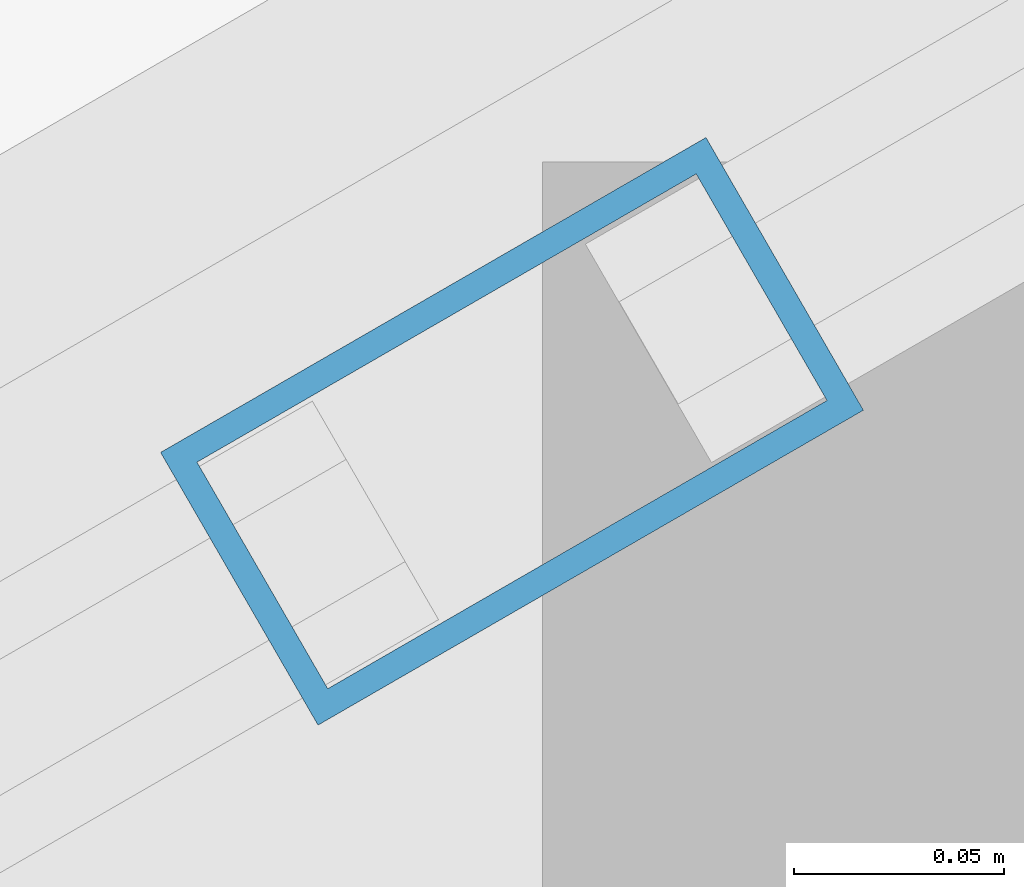
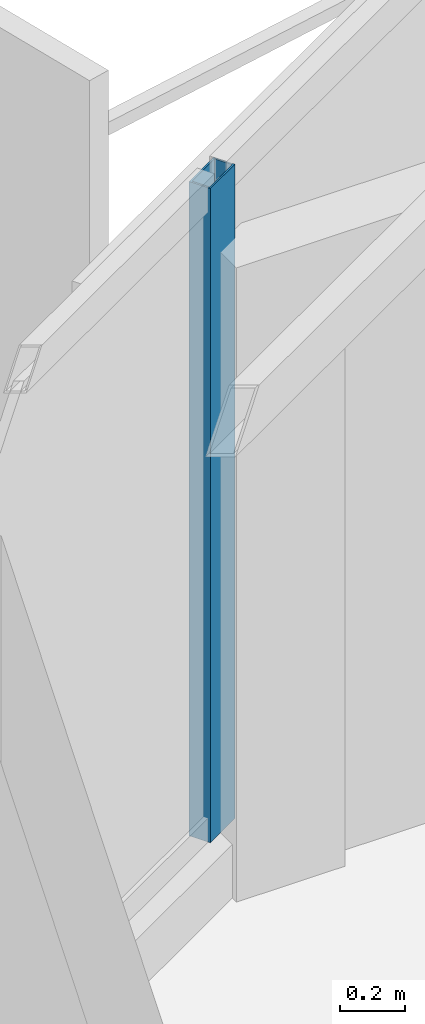
# One storey, part 10 of 21: 1 member, 1 element without a shape of its own.
"""IFC4 building model written with IfcOpenShell, lengths in metres."""

from ifc_helpers import new_model, si_unit, direction, frame, origin, origin_2d, place, context, subcontext, project, spatial, hollow_rectangle, extrude, material, layer, layer_set, material_profile, profile_set, type_object, element, aggregate, save


model = new_model("IFC4")

# Units and contexts
model_context = context("Model", 3, precision=1e-05, world=origin(), true_north=direction((0.0, 1.0)))
body_context = subcontext(model_context, "Body", "Model", "MODEL_VIEW")
ifc_project = project(units=[si_unit("LENGTHUNIT", "METRE"), si_unit("AREAUNIT", "SQUARE_METRE"), si_unit("VOLUMEUNIT", "CUBIC_METRE"), si_unit("PLANEANGLEUNIT", "RADIAN"), si_unit("MASSUNIT", "GRAM", prefix="KILO")], contexts=[model_context])

# Site, building, storey
site_placement = place(None, origin())
site = spatial("IfcSite", under=ifc_project, at=site_placement, CompositionType="ELEMENT")
building_placement = place(site_placement, origin())
building = spatial("IfcBuilding", under=site, at=building_placement, Name="Mersakhor Tower and Convention Hall", CompositionType="ELEMENT")
storey_placement = place(building_placement, frame((0.0, 0.0, 215.10009765625)))
storey = spatial("IfcBuildingStorey", under=building, at=storey_placement, Name="L60", CompositionType="ELEMENT", Elevation=215.10009765625)

# Curtain wall, member
ifc_material_1 = material(Name="Dark solar low-E aluminium curtain wall", Category="aluminium")
ifc_layer = layer(ifc_material_1, 0.169921875)
ifc_layer_set = layer_set([ifc_layer], Name="Dark solar low-E aluminium curtain wall")
curtain_wall_type = type_object("IfcCurtainWallType", Name="CW-SYS-02", PredefinedType="USERDEFINED", material=ifc_layer_set)
curtain_wall_placement = place(storey_placement, origin())
curtain_wall = element("IfcCurtainWall", 1, at=curtain_wall_placement, inside=storey, type_object=curtain_wall_type, Name="L60 Dark-Glass Curtain Wall F1-B2", ObjectType="CURTAIN WALL", PredefinedType="USERDEFINED")
ifc_material_2 = material(Name="Anodised aluminium EN AW-6063 T6", Category="aluminium")
ifc_material_profile = material_profile(ifc_material_2, hollow_rectangle(XDim=0.074951171875, YDim=0.14990234375, WallThickness=0.00634765625, at=origin_2d()), Name="RHS 150x75x6.3")
ifc_profile_set = profile_set([ifc_material_profile], Name="Anodised aluminium EN AW-6063 T6")
member_type = type_object("IfcMemberType", Name="CWM-150x75", PredefinedType="MULLION", material=ifc_profile_set)
member_placement = place(storey_placement, frame((24.504638671875, 37.535888671875, 0.199951171875), z_axis=(0.0, 0.0, 1.0), x_axis=(-0.500007824483, 0.86602088627, 0.0)))
member = element("IfcMember", 2, at=member_placement, type_object=member_type, Name="CW-02 mullion 3", PredefinedType="MULLION", context=body_context, shape_type="SweptSolid", body=[
    extrude(hollow_rectangle(XDim=0.074951171875, YDim=0.14990234375, WallThickness=0.00634765625, at=origin_2d()), origin(), (0.0, 0.0, 1.0), 2.43994140625),
])
aggregate(curtain_wall, [member])

save(model, "model.ifc")
